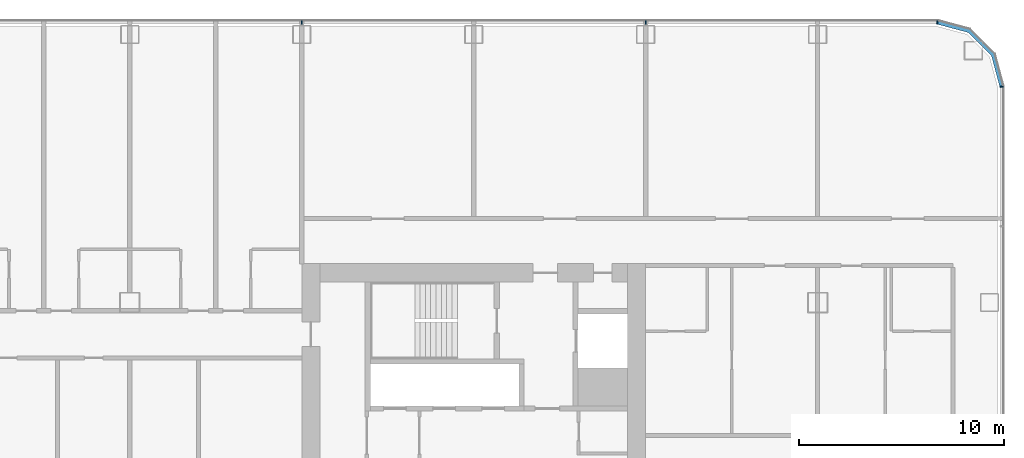
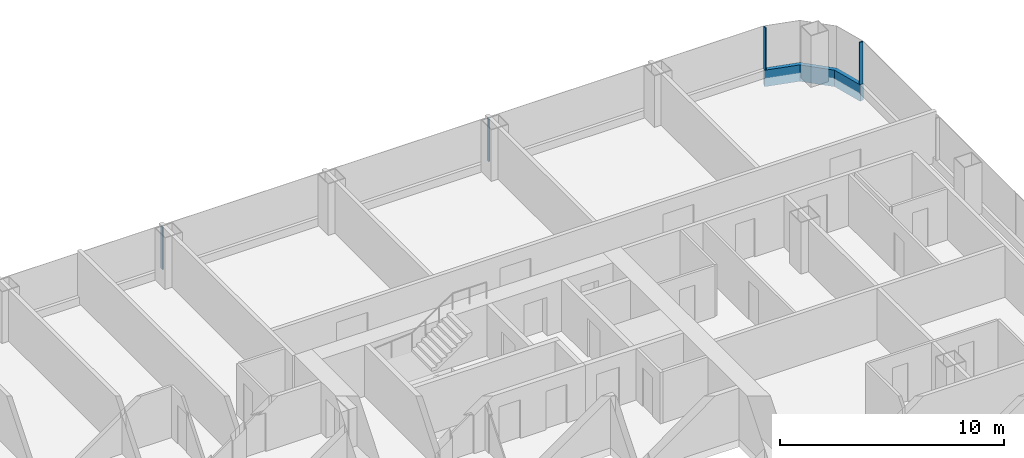
# One storey, part 11 of 29: 5 members, 3 elements without a shape of their own.
"""IFC4 building model written with IfcOpenShell, lengths in metres."""

import ifcopenshell
import ifcopenshell.guid

model = None  # the IFC model being written
_history = None  # IfcOwnerHistory: only IFC2X3 demands one
_inside = {}  # id of a spatial element -> (the spatial element, [elements in it])
_under = {}  # id of a project, library or spatial element -> (it, [spatial elements below it])
_declared = {}  # id of a project -> (the project, [libraries it declares])
_typed = {}  # id of a type object -> (the type object, [elements of that type])
_made_of = {}  # id of a material, layer set ... -> (it, [elements and type objects made of it])


def new_model(schema):
    """Start an empty IFC model of exactly this schema.

    Asked for "IFC4X3", IfcOpenShell would pick the latest addendum, in which some entities
    have other attributes; the version numbers below select the first issue.
    IFC2X3 requires an IfcOwnerHistory on every rooted entity: one is made here for all.
    """
    global model, _history
    if schema == "IFC4X3":
        model = ifcopenshell.file(schema_version=(4, 3, 0, 0))
    else:
        model = ifcopenshell.file(schema=schema)
    _inside.clear()
    _under.clear()
    _declared.clear()
    _typed.clear()
    _made_of.clear()
    _history = None
    if model.schema == "IFC2X3":
        org = make("IfcOrganization", Name="unknown")
        user = make(
            "IfcPersonAndOrganization",
            ThePerson=make("IfcPerson", FamilyName="unknown"),
            TheOrganization=org,
        )
        app = make(
            "IfcApplication",
            ApplicationDeveloper=org,
            Version="unknown",
            ApplicationFullName="unknown",
            ApplicationIdentifier="unknown",
        )
        _history = make(
            "IfcOwnerHistory",
            OwningUser=user,
            OwningApplication=app,
            ChangeAction="ADDED",
            CreationDate=0,
        )
    return model


def make(cls, **values):
    """One entity of the class cls with the attributes given. An attribute that is None is left unset."""
    return model.create_entity(
        cls, **{name: value for name, value in values.items() if value is not None}
    )


def rooted(cls, **values):
    """An entity with a GlobalId (a new one), such as an element, a storey or a relation."""
    return make(cls, GlobalId=ifcopenshell.guid.new(), OwnerHistory=_history, **values)


def si_unit(unit_type, name, prefix=None):
    """IfcSIUnit, for example si_unit("LENGTHUNIT", "METRE", prefix="MILLI")."""
    return make("IfcSIUnit", UnitType=unit_type, Prefix=prefix, Name=name)


def assignment(units):
    """IfcUnitAssignment: the units of a project."""
    return None if units is None else make("IfcUnitAssignment", Units=units)


def point(xyz):
    """IfcCartesianPoint."""
    return None if xyz is None else make("IfcCartesianPoint", Coordinates=xyz)


def direction(xyz):
    """IfcDirection."""
    return None if xyz is None else make("IfcDirection", DirectionRatios=xyz)


def frame(location, z_axis=None, x_axis=None):
    """IfcAxis2Placement3D, a coordinate frame: its origin and axes. An axis left out is left unset."""
    return make(
        "IfcAxis2Placement3D",
        Location=point(location),
        Axis=direction(z_axis),
        RefDirection=direction(x_axis),
    )


def frame_2d(location, x_axis=None):
    """IfcAxis2Placement2D, a coordinate frame in the plane: its origin and x axis."""
    return make(
        "IfcAxis2Placement2D", Location=point(location), RefDirection=direction(x_axis)
    )


def origin():
    """The frame at (0, 0, 0) with its axes left unset."""
    return frame((0.0, 0.0, 0.0))


def origin_2d():
    """The frame at (0, 0) in the plane with its x axis left unset."""
    return frame_2d((0.0, 0.0))


def place(relative_to, where):
    """IfcLocalPlacement: puts the frame where relative to a parent placement (None: the world)."""
    return make(
        "IfcLocalPlacement", PlacementRelTo=relative_to, RelativePlacement=where
    )


def context(
    kind, dimensions, precision=None, world=None, true_north=None, identifier=None
):
    """IfcGeometricRepresentationContext, for example the 3D "Model" context."""
    return make(
        "IfcGeometricRepresentationContext",
        ContextIdentifier=identifier,
        ContextType=kind,
        CoordinateSpaceDimension=dimensions,
        Precision=precision,
        WorldCoordinateSystem=world,
        TrueNorth=true_north,
    )


def subcontext(parent, identifier, kind, view, scale=None):
    """IfcGeometricRepresentationSubContext, for example "Body" below "Model"."""
    return make(
        "IfcGeometricRepresentationSubContext",
        ContextIdentifier=identifier,
        ContextType=kind,
        ParentContext=parent,
        TargetScale=scale,
        TargetView=view,
    )


def project(units=None, contexts=None):
    """IfcProject with its units and contexts."""
    return rooted(
        "IfcProject",
        Name="project",
        RepresentationContexts=contexts,
        UnitsInContext=assignment(units),
    )


def spatial(cls, under=None, at=None, **own):
    """A site, building, storey or space (cls), placed at a placement, below another one or the project."""
    s = rooted(cls, ObjectPlacement=at, **own)
    if under is not None:
        _under.setdefault(under.id(), (under, []))[1].append(s)
    return s


def polyline(points):
    """IfcPolyline through the points."""
    return make("IfcPolyline", Points=[point(p) for p in points])


def profile(cls, at=None, kind="AREA", **sizes):
    """A parametric profile (cls). Its sizes go by their IFC names, for example OverallWidth=200.0."""
    return make(cls, ProfileType=kind, Position=at, **sizes)


def rectangle(**sizes):
    """IfcRectangleProfileDef."""
    return profile("IfcRectangleProfileDef", **sizes)


def outline(outer, holes=None, kind="AREA"):
    """IfcArbitraryClosedProfileDef: a profile drawn as a closed curve; with holes, ...WithVoids."""
    if holes is None:
        return make("IfcArbitraryClosedProfileDef", ProfileType=kind, OuterCurve=outer)
    return make(
        "IfcArbitraryProfileDefWithVoids",
        ProfileType=kind,
        OuterCurve=outer,
        InnerCurves=holes,
    )


def extrude(swept, where, along, depth):
    """IfcExtrudedAreaSolid: the profile swept, set in the frame where, extruded along a direction by depth."""
    return make(
        "IfcExtrudedAreaSolid",
        SweptArea=swept,
        Position=where,
        ExtrudedDirection=direction(along),
        Depth=depth,
    )


def shape(context_of_items, identifier, shape_type, items):
    """IfcShapeRepresentation: the items that make up one representation, for example the "Body"."""
    return make(
        "IfcShapeRepresentation",
        ContextOfItems=context_of_items,
        RepresentationIdentifier=identifier,
        RepresentationType=shape_type,
        Items=items,
    )


def material(Name=None, Category=None):
    """IfcMaterial."""
    return make("IfcMaterial", Name=Name, Category=Category)


def layer(
    of_material, thickness, ventilated=None, Name=None, Category=None, Priority=None
):
    """IfcMaterialLayer: one layer of a wall or slab, of a material (None: an air gap)."""
    return make(
        "IfcMaterialLayer",
        Material=of_material,
        LayerThickness=thickness,
        IsVentilated=ventilated,
        Name=Name,
        Category=Category,
        Priority=Priority,
    )


def layer_set(layers, Name=None):
    """IfcMaterialLayerSet."""
    return make("IfcMaterialLayerSet", MaterialLayers=layers, LayerSetName=Name)


def material_profile(
    of_material, cross_section, Name=None, Category=None, Priority=None
):
    """IfcMaterialProfile: a cross section and its material."""
    return make(
        "IfcMaterialProfile",
        Name=Name,
        Material=of_material,
        Profile=cross_section,
        Priority=Priority,
        Category=Category,
    )


def profile_set(profiles, Name=None, composite=None):
    """IfcMaterialProfileSet."""
    return make(
        "IfcMaterialProfileSet",
        Name=Name,
        MaterialProfiles=profiles,
        CompositeProfile=composite,
    )


def made_of(thing, what):
    """Note that an element or type object is made of a material, layer set ...; save() writes the relation."""
    if what is not None:
        _made_of.setdefault(what.id(), (what, []))[1].append(thing)
    return thing


def type_object(cls, material=None, **own):
    """A type object (cls), such as IfcWallType, which elements share."""
    return made_of(rooted(cls, **own), material)


def element(
    cls,
    number,
    at=None,
    inside=None,
    cuts=None,
    type_object=None,
    material=None,
    context=None,
    identifier="Body",
    shape_type=None,
    held_by="IfcProductDefinitionShape",
    body=None,
    shapes=None,
    **own,
):
    """One element of the class cls, such as IfcWall. Its Tag is "e" and its number.

    at: its placement. inside: the storey or other place that contains it. cuts: it is an
    opening in that element (IfcRelVoidsElement). A single representation is given by context,
    identifier, shape_type and body (its items); several are given by shapes. held_by: the class
    of the entity that holds the representations. save() writes the other relations.
    """
    e = rooted(cls, Tag="e%d" % number, ObjectPlacement=at, **own)
    if body is not None:
        shapes = [shape(context, identifier, shape_type, body)]
    if shapes is not None:
        e.Representation = make(held_by, Representations=shapes)
    if inside is not None:
        _inside.setdefault(inside.id(), (inside, []))[1].append(e)
    if cuts is not None:
        rooted(
            "IfcRelVoidsElement", RelatingBuildingElement=cuts, RelatedOpeningElement=e
        )
    if type_object is not None:
        _typed.setdefault(type_object.id(), (type_object, []))[1].append(e)
    return made_of(e, material)


def aggregate(whole, parts):
    """IfcRelAggregates: a whole, such as a stair, and the parts it consists of."""
    return rooted("IfcRelAggregates", RelatingObject=whole, RelatedObjects=parts)


def save(model, path):
    """Write the relations noted so far, then the file.

    IfcRelAggregates (storeys below a building ...), IfcRelContainedInSpatialStructure (elements
    in a storey), IfcRelDefinesByType, IfcRelAssociatesMaterial and IfcRelDeclares: one each for
    every whole, place, type object, material and project.
    """
    for whole, parts in _under.values():
        aggregate(whole, parts)
    for where, things in _inside.values():
        rooted(
            "IfcRelContainedInSpatialStructure",
            RelatedElements=things,
            RelatingStructure=where,
        )
    for kind, things in _typed.values():
        rooted("IfcRelDefinesByType", RelatedObjects=things, RelatingType=kind)
    for what, things in _made_of.values():
        rooted("IfcRelAssociatesMaterial", RelatedObjects=things, RelatingMaterial=what)
    for by, libraries in _declared.values():
        rooted("IfcRelDeclares", RelatingContext=by, RelatedDefinitions=libraries)
    model.write(path)


model = new_model("IFC4")

# Units and contexts
model_context = context("Model", 3, precision=1e-05, world=origin(), true_north=direction((0.0, 1.0)))
body_context = subcontext(model_context, "Body", "Model", "MODEL_VIEW")
ifc_project = project(units=[si_unit("LENGTHUNIT", "METRE"), si_unit("AREAUNIT", "SQUARE_METRE"), si_unit("VOLUMEUNIT", "CUBIC_METRE"), si_unit("PLANEANGLEUNIT", "RADIAN"), si_unit("MASSUNIT", "GRAM", prefix="KILO")], contexts=[model_context])

# Site, building, storey
site_placement = place(None, origin())
site = spatial("IfcSite", under=ifc_project, at=site_placement, CompositionType="ELEMENT")
building_placement = place(site_placement, origin())
building = spatial("IfcBuilding", under=site, at=building_placement, Name="Hakoniwa Tower and Hamabe Station Hall", CompositionType="ELEMENT")
storey_placement = place(building_placement, frame((0.0, 0.0, 55.0)))
storey = spatial("IfcBuildingStorey", under=building, at=storey_placement, Name="L15", CompositionType="ELEMENT", Elevation=55.0)

# Curtain wall, member
ifc_material_1 = material(Name="Dark low-e laminated glass", Category="glass")
ifc_layer = layer(ifc_material_1, 0.199951171875)
ifc_layer_set = layer_set([ifc_layer], Name="CW-1 UNITISED GUEST")
curtain_wall_type = type_object("IfcCurtainWallType", Name="CW-1 UNITISED GUEST", PredefinedType="NOTDEFINED", material=ifc_layer_set)
curtain_wall_1_placement = place(storey_placement, origin())
curtain_wall_1 = element("IfcCurtainWall", 1, at=curtain_wall_1_placement, inside=storey, type_object=curtain_wall_type, Name="CW-1 curtain wall", PredefinedType="NOTDEFINED")
ifc_material_2 = material(Name="Aluminium 6063-T5 black anodised", Category="aluminium")
ifc_material_profile_1 = material_profile(ifc_material_2, rectangle(XDim=0.199951171875, YDim=0.89990234375, at=origin_2d()), Name="CW SLAB-EDGE BAND 900X200")
ifc_profile_set_1 = profile_set([ifc_material_profile_1], Name="Aluminium 6063-T5 black anodised")
member_type_1 = type_object("IfcMemberType", Name="CW SLAB-EDGE BAND 900X200", PredefinedType="USERDEFINED", material=ifc_profile_set_1)
member_1_placement = place(storey_placement, frame((0.0, 0.0, -0.550048828125)))
member_1 = element("IfcMember", 2, at=member_1_placement, type_object=member_type_1, Name="CW-1 transom", ObjectType="TRANSOM", PredefinedType="USERDEFINED", context=body_context, shape_type="SweptSolid", body=[
    extrude(outline(polyline([(51.10009765625, 17.03955078125), (50.6669921875, 18.6552734375), (49.455322265625, 19.866943359375), (47.839599609375, 20.300048828125), (47.787841796875, 20.10693359375), (49.351806640625, 19.687744140625), (50.48779296875, 18.5517578125), (50.90673828125, 16.98779296875), (51.10009765625, 17.03955078125)])), origin(), (0.0, 0.0, 1.0), 0.900146484375),
])
aggregate(curtain_wall_1, [member_1])

curtain_wall_2_placement = place(storey_placement, origin())
curtain_wall_2 = element("IfcCurtainWall", 3, at=curtain_wall_2_placement, inside=storey, type_object=curtain_wall_type, Name="CW-1 curtain wall", PredefinedType="NOTDEFINED")
ifc_material_3 = material(Name="Aluminium 6063-T5 black anodised", Category="aluminium")
ifc_material_profile_2 = material_profile(ifc_material_3, rectangle(XDim=0.06005859375, YDim=0.179931640625, at=origin_2d()), Name="CW-1 MULLION 60X180")
ifc_profile_set_2 = profile_set([ifc_material_profile_2], Name="Aluminium 6063-T5 black anodised")
member_type_2 = type_object("IfcMemberType", Name="CW-1 MULLION 60X180", PredefinedType="MULLION", material=ifc_profile_set_2)
member_2_placement = place(storey_placement, frame((50.98193359375, 17.03955078125, 0.35009765625), z_axis=(0.0, 0.0, 1.0), x_axis=(0.0, 1.0, 0.0)))
member_2 = element("IfcMember", 4, at=member_2_placement, type_object=member_type_2, Name="CW-1 mullion", PredefinedType="MULLION", context=body_context, shape_type="SweptSolid", body=[
    extrude(rectangle(XDim=0.06005859375, YDim=0.179931640625, at=origin_2d()), origin(), (0.0, 0.0, 1.0), 2.2998046875),
])
aggregate(curtain_wall_2, [member_2])

# Curtain wall, members
curtain_wall_3_placement = place(storey_placement, origin())
curtain_wall_3 = element("IfcCurtainWall", 5, at=curtain_wall_3_placement, inside=storey, type_object=curtain_wall_type, Name="CW-1 curtain wall", PredefinedType="NOTDEFINED")
member_3_placement = place(storey_placement, frame((47.839599609375, 20.181884765625, 0.35009765625), z_axis=(0.0, 0.0, 1.0), x_axis=(-1.0, 0.0, 0.0)))
member_3 = element("IfcMember", 6, at=member_3_placement, type_object=member_type_2, Name="CW-1 mullion", PredefinedType="MULLION", context=body_context, shape_type="SweptSolid", body=[
    extrude(rectangle(XDim=0.06005859375, YDim=0.179931640625, at=origin_2d()), origin(), (0.0, 0.0, 1.0), 2.2998046875),
])
member_4_placement = place(storey_placement, frame((33.60009765625, 20.181884765625, 0.35009765625), z_axis=(0.0, 0.0, 1.0), x_axis=(-1.0, 0.0, 0.0)))
member_4 = element("IfcMember", 7, at=member_4_placement, type_object=member_type_2, Name="CW-1 mullion", PredefinedType="MULLION", context=body_context, shape_type="SweptSolid", body=[
    extrude(rectangle(XDim=0.06005859375, YDim=0.179931640625, at=origin_2d()), origin(), (0.0, 0.0, 1.0), 2.2998046875),
])
member_5_placement = place(storey_placement, frame((16.800048828125, 20.181884765625, 0.35009765625), z_axis=(0.0, 0.0, 1.0), x_axis=(-1.0, 0.0, 0.0)))
member_5 = element("IfcMember", 8, at=member_5_placement, type_object=member_type_2, Name="CW-1 mullion", PredefinedType="MULLION", context=body_context, shape_type="SweptSolid", body=[
    extrude(rectangle(XDim=0.06005859375, YDim=0.179931640625, at=origin_2d()), origin(), (0.0, 0.0, 1.0), 2.2998046875),
])
aggregate(curtain_wall_3, [member_3, member_4, member_5])

save(model, "model.ifc")
